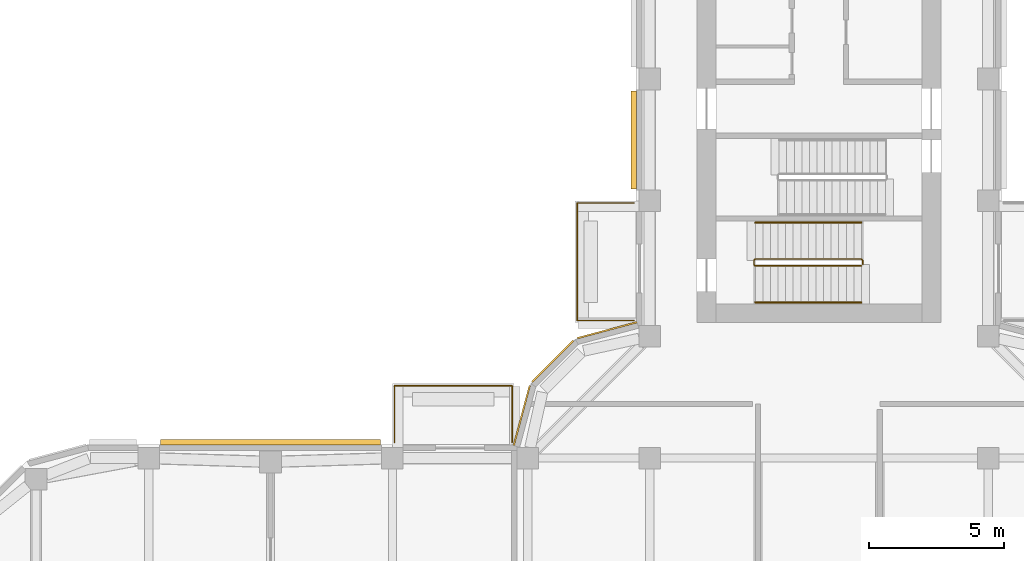
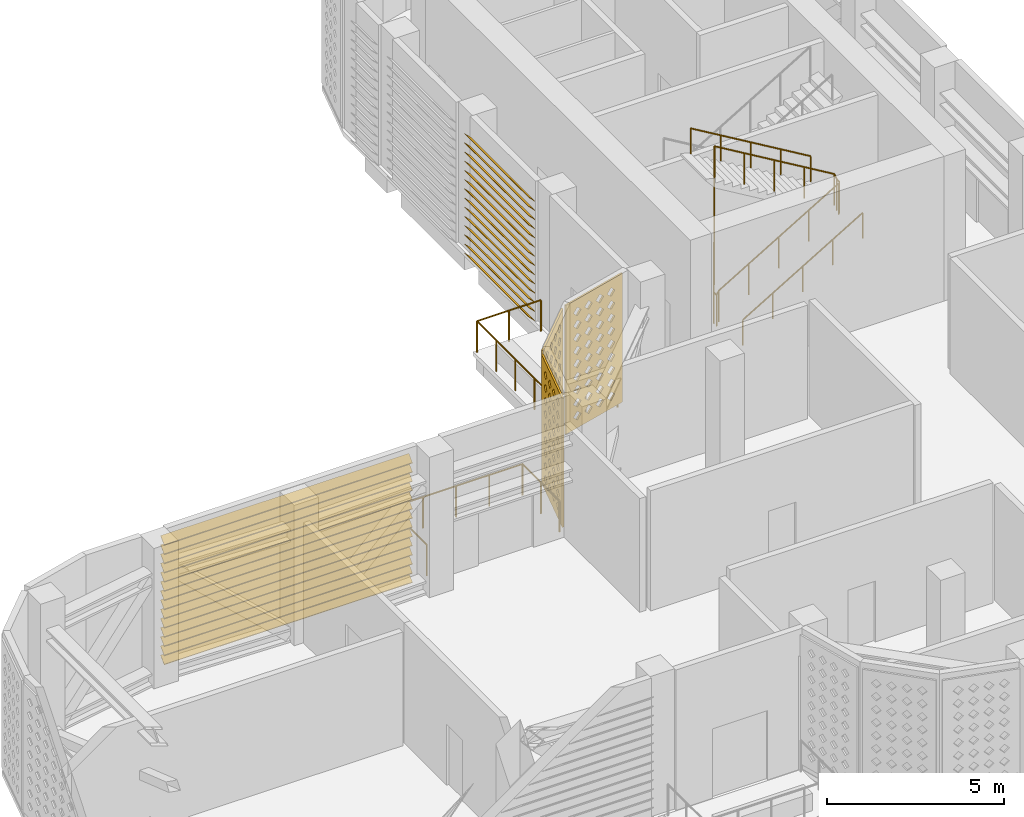
# One storey, part 16 of 21: 5 railings, 3 coverings, 2 shading devices.
"""IFC4 building model written with IfcOpenShell, lengths in metres."""

from ifc_helpers import new_model, si_unit, direction, frame, origin, origin_2d, place, context, subcontext, project, spatial, polyline, circle, outline, extrude, source, transform, mapped, material, layer, layer_set, type_object, element, save


model = new_model("IFC4")

# Units and contexts
model_context = context("Model", 3, precision=1e-05, world=origin(), true_north=direction((0.0, 1.0)))
body_context = subcontext(model_context, "Body", "Model", "MODEL_VIEW")
ifc_project = project(units=[si_unit("LENGTHUNIT", "METRE"), si_unit("AREAUNIT", "SQUARE_METRE"), si_unit("VOLUMEUNIT", "CUBIC_METRE"), si_unit("PLANEANGLEUNIT", "RADIAN"), si_unit("MASSUNIT", "GRAM", prefix="KILO")], contexts=[model_context])

# Site, building, storey
site_placement = place(None, origin())
site = spatial("IfcSite", under=ifc_project, at=site_placement, CompositionType="ELEMENT")
building_placement = place(site_placement, origin())
building = spatial("IfcBuilding", under=site, at=building_placement, Name="Zarbagh Exchange Tower", CompositionType="ELEMENT")
storey_placement = place(building_placement, frame((0.0, 0.0, 190.39990234375)))
storey = spatial("IfcBuildingStorey", under=building, at=storey_placement, Name="L46", CompositionType="ELEMENT", Elevation=190.39990234375)

# Railings
ifc_material_1 = material(Name="Stainless steel", Category="steel")
railing_type_1 = type_object("IfcRailingType", Name="Stair guard 1100 mm", PredefinedType="GUARDRAIL", material=ifc_material_1)
railing_1_placement = place(storey_placement, frame((1.6201171875, 13.39990234375, 2.5)))
element("IfcRailing", 1, at=railing_1_placement, inside=storey, type_object=railing_type_1, Name="ST2 stair guard 1", PredefinedType="GUARDRAIL", context=body_context, shape_type="SweptSolid", body=[
    extrude(circle(Radius=0.02392578125, at=origin_2d()), frame((0.0, 0.0, 1.076171875), z_axis=(0.0, 1.0, 0.0), x_axis=(-1.0, 0.0, 0.0)), (0.0, 0.0, 1.0), 0.150146484375),
    extrude(circle(Radius=0.02392578125, at=origin_2d()), frame((0.0, 0.150146484375, 1.076171875), z_axis=(-0.27628659633, 0.27628659633, 0.920506074601), x_axis=(-0.707106781187, -0.707106781187, 0.0)), (0.0, 0.0, 1.0), 0.18115234375),
    extrude(circle(Radius=0.02392578125, at=origin_2d()), frame((-0.050048828125, 0.2001953125, 1.24267578125), z_axis=(-0.859310244771, 0.0, 0.511454693235), x_axis=(0.0, -1.0, 0.0)), (0.0, 0.0, 1.0), 4.56201171875),
    extrude(circle(Radius=0.02392578125, at=origin_2d()), frame((-3.97021484375, 0.2001953125, 3.576171875), z_axis=(-0.009959944465, -0.010008767722, -0.999900307068), x_axis=(1.0, 0.0, 0.0)), (0.0, 0.0, 1.0), 5.00048828125),
    extrude(circle(Radius=0.02392578125, at=origin_2d()), frame((-4.02001953125, 0.150146484375, -1.423828125), z_axis=(0.0, -1.0, 0.0), x_axis=(1.0, 0.0, 0.0)), (0.0, 0.0, 1.0), 0.150146484375),
    extrude(circle(Radius=0.02392578125, at=origin_2d()), frame((-4.02001953125, 0.0, -1.423828125), z_axis=(0.275143339093, -0.275143339093, 0.92119068922), x_axis=(0.707106781187, 0.707106781187, 0.0)), (0.0, 0.0, 1.0), 0.180908203125),
    extrude(circle(Radius=0.02392578125, at=origin_2d()), frame((-3.97021484375, -0.0498046875, -1.25732421875), z_axis=(0.859310244771, 0.0, 0.511454693235), x_axis=(0.0, 1.0, 0.0)), (0.0, 0.0, 1.0), 4.56201171875),
    extrude(circle(Radius=0.02099609375, at=origin_2d()), origin(), (0.0, 0.0, 1.0), 1.052001953125),
    extrude(circle(Radius=0.02099609375, at=origin_2d()), frame((0.0, 0.150146484375, 0.0)), (0.0, 0.0, 1.0), 1.052001953125),
    extrude(circle(Radius=0.02099609375, at=origin_2d()), frame((-0.050048828125, 0.2001953125, 0.166748046875)), (0.0, 0.0, 1.0), 1.052001953125),
    extrude(circle(Radius=0.02099609375, at=origin_2d()), frame((-1.030029296875, 0.2001953125, 0.75)), (0.0, 0.0, 1.0), 1.052001953125),
    extrude(circle(Radius=0.02099609375, at=origin_2d()), frame((-2.01025390625, 0.2001953125, 1.33349609375)), (0.0, 0.0, 1.0), 1.052001953125),
    extrude(circle(Radius=0.02099609375, at=origin_2d()), frame((-2.990234375, 0.2001953125, 1.916748046875)), (0.0, 0.0, 1.0), 1.052001953125),
    extrude(circle(Radius=0.02099609375, at=origin_2d()), frame((-3.97021484375, 0.2001953125, 2.5)), (0.0, 0.0, 1.0), 1.052001953125),
    extrude(circle(Radius=0.02099609375, at=origin_2d()), frame((-3.980224609375, 0.190185546875, 1.5)), (0.0, 0.0, 1.0), 1.052001953125),
    extrude(circle(Radius=0.02099609375, at=origin_2d()), frame((-3.990234375, 0.18017578125, 0.5)), (0.0, 0.0, 1.0), 1.052001953125),
    extrude(circle(Radius=0.02099609375, at=origin_2d()), frame((-4.0, 0.170166015625, -0.5)), (0.0, 0.0, 1.0), 1.052001953125),
    extrude(circle(Radius=0.02099609375, at=origin_2d()), frame((-4.010009765625, 0.16015625, -1.5)), (0.0, 0.0, 1.0), 1.052001953125),
    extrude(circle(Radius=0.02099609375, at=origin_2d()), frame((-4.02001953125, 0.150146484375, -2.5)), (0.0, 0.0, 1.0), 1.052001953125),
    extrude(circle(Radius=0.02099609375, at=origin_2d()), frame((-4.02001953125, 0.0, -2.5)), (0.0, 0.0, 1.0), 1.052001953125),
    extrude(circle(Radius=0.02099609375, at=origin_2d()), frame((-3.97021484375, -0.0498046875, -2.333251953125)), (0.0, 0.0, 1.0), 1.052001953125),
    extrude(circle(Radius=0.02099609375, at=origin_2d()), frame((-2.990234375, -0.0498046875, -1.75)), (0.0, 0.0, 1.0), 1.052001953125),
    extrude(circle(Radius=0.02099609375, at=origin_2d()), frame((-2.01025390625, -0.0498046875, -1.16650390625)), (0.0, 0.0, 1.0), 1.052001953125),
    extrude(circle(Radius=0.02099609375, at=origin_2d()), frame((-1.030029296875, -0.0498046875, -0.583251953125)), (0.0, 0.0, 1.0), 1.052001953125),
    extrude(circle(Radius=0.02099609375, at=origin_2d()), frame((-0.050048828125, -0.0498046875, 0.0)), (0.0, 0.0, 1.0), 1.052001953125),
])
railing_type_2 = type_object("IfcRailingType", Name="Stair handrail 900 mm", PredefinedType="HANDRAIL", material=ifc_material_1)
railing_2_placement = place(storey_placement, frame((-2.35009765625, 12.0, 0.166748046875)))
element("IfcRailing", 2, at=railing_2_placement, inside=storey, type_object=railing_type_2, Name="ST2 stair handrail 1", PredefinedType="HANDRAIL", context=body_context, shape_type="SweptSolid", body=[
    extrude(circle(Radius=0.02392578125, at=origin_2d()), frame((0.0, 0.0, 0.8759765625), z_axis=(0.859310244771, 0.0, 0.511454693235), x_axis=(0.0, 1.0, 0.0)), (0.0, 0.0, 1.0), 4.56201171875),
    extrude(circle(Radius=0.02099609375, at=origin_2d()), origin(), (0.0, 0.0, 1.0), 0.851806640625),
    extrude(circle(Radius=0.02099609375, at=origin_2d()), frame((0.97998046875, 0.0, 0.583251953125)), (0.0, 0.0, 1.0), 0.851806640625),
    extrude(circle(Radius=0.02099609375, at=origin_2d()), frame((1.9599609375, 0.0, 1.16650390625)), (0.0, 0.0, 1.0), 0.851806640625),
    extrude(circle(Radius=0.02099609375, at=origin_2d()), frame((2.940185546875, 0.0, 1.75)), (0.0, 0.0, 1.0), 0.851806640625),
    extrude(circle(Radius=0.02099609375, at=origin_2d()), frame((3.920166015625, 0.0, 2.333251953125)), (0.0, 0.0, 1.0), 0.851806640625),
])
railing_3_placement = place(storey_placement, frame((1.570068359375, 14.949951171875, 2.666748046875)))
element("IfcRailing", 3, at=railing_3_placement, inside=storey, type_object=railing_type_2, Name="ST2 stair handrail 2", PredefinedType="HANDRAIL", context=body_context, shape_type="SweptSolid", body=[
    extrude(circle(Radius=0.02392578125, at=origin_2d()), frame((0.0, 0.0, 0.8759765625), z_axis=(-0.859310244771, 0.0, 0.511454693235), x_axis=(0.0, -1.0, 0.0)), (0.0, 0.0, 1.0), 4.56201171875),
    extrude(circle(Radius=0.02099609375, at=origin_2d()), origin(), (0.0, 0.0, 1.0), 0.851806640625),
    extrude(circle(Radius=0.02099609375, at=origin_2d()), frame((-0.97998046875, 0.0, 0.583251953125)), (0.0, 0.0, 1.0), 0.851806640625),
    extrude(circle(Radius=0.02099609375, at=origin_2d()), frame((-1.9599609375, 0.0, 1.16650390625)), (0.0, 0.0, 1.0), 0.851806640625),
    extrude(circle(Radius=0.02099609375, at=origin_2d()), frame((-2.940185546875, 0.0, 1.75)), (0.0, 0.0, 1.0), 0.851806640625),
    extrude(circle(Radius=0.02099609375, at=origin_2d()), frame((-3.920166015625, 0.0, 2.333251953125)), (0.0, 0.0, 1.0), 0.851806640625),
])
ifc_material_2 = material(Name="Stainless steel and laminated glass", Category="steel")
railing_type_3 = type_object("IfcRailingType", Name="Terrace guard, glass balustrade 1.1 m", PredefinedType="GUARDRAIL", material=ifc_material_2)
railing_4_placement = place(storey_placement, frame((-6.830078125, 11.330078125, 0.0)))
element("IfcRailing", 4, at=railing_4_placement, inside=storey, type_object=railing_type_3, Name="TG01 terrace guard", PredefinedType="GUARDRAIL", context=body_context, shape_type="SweptSolid", body=[
    extrude(circle(Radius=0.02490234375, at=origin_2d()), frame((0.0, 0.0, 1.0751953125), z_axis=(-1.0, 0.0, 0.0), x_axis=(0.0, -1.0, 0.0)), (0.0, 0.0, 1.0), 2.08984375),
    extrude(circle(Radius=0.02490234375, at=origin_2d()), frame((-2.08984375, 0.0, 1.0751953125), z_axis=(0.0, 1.0, 0.0), x_axis=(-1.0, 0.0, 0.0)), (0.0, 0.0, 1.0), 4.33984375),
    extrude(circle(Radius=0.02490234375, at=origin_2d()), frame((-2.08984375, 4.33984375, 1.0751953125), z_axis=(1.0, 0.0, 0.0), x_axis=(0.0, 1.0, 0.0)), (0.0, 0.0, 1.0), 2.08984375),
    extrude(circle(Radius=0.02490234375, at=origin_2d()), origin(), (0.0, 0.0, 1.0), 1.050048828125),
    extrude(circle(Radius=0.02490234375, at=origin_2d()), frame((-1.044921875, 0.0, 0.0)), (0.0, 0.0, 1.0), 1.050048828125),
    extrude(circle(Radius=0.02490234375, at=origin_2d()), frame((-2.08984375, 0.0, 0.0)), (0.0, 0.0, 1.0), 1.050048828125),
    extrude(circle(Radius=0.02490234375, at=origin_2d()), frame((-2.08984375, 1.0849609375, 0.0)), (0.0, 0.0, 1.0), 1.050048828125),
    extrude(circle(Radius=0.02490234375, at=origin_2d()), frame((-2.08984375, 2.169921875, 0.0)), (0.0, 0.0, 1.0), 1.050048828125),
    extrude(circle(Radius=0.02490234375, at=origin_2d()), frame((-2.08984375, 3.2548828125, 0.0)), (0.0, 0.0, 1.0), 1.050048828125),
    extrude(circle(Radius=0.02490234375, at=origin_2d()), frame((-2.08984375, 4.33984375, 0.0)), (0.0, 0.0, 1.0), 1.050048828125),
    extrude(circle(Radius=0.02490234375, at=origin_2d()), frame((-1.044921875, 4.33984375, 0.0)), (0.0, 0.0, 1.0), 1.050048828125),
    extrude(circle(Radius=0.02490234375, at=origin_2d()), frame((0.0, 4.33984375, 0.0)), (0.0, 0.0, 1.0), 1.050048828125),
])
railing_5_placement = place(storey_placement, frame((-15.669921875, 6.830078125, 0.0)))
element("IfcRailing", 5, at=railing_5_placement, inside=storey, type_object=railing_type_3, Name="TG01 terrace guard", PredefinedType="GUARDRAIL", context=body_context, shape_type="SweptSolid", body=[
    extrude(circle(Radius=0.02490234375, at=origin_2d()), frame((0.0, 0.0, 1.0751953125), z_axis=(0.0, 1.0, 0.0), x_axis=(-1.0, 0.0, 0.0)), (0.0, 0.0, 1.0), 2.08984375),
    extrude(circle(Radius=0.02490234375, at=origin_2d()), frame((0.0, 2.08984375, 1.0751953125), z_axis=(1.0, 0.0, 0.0), x_axis=(0.0, 1.0, 0.0)), (0.0, 0.0, 1.0), 4.33984375),
    extrude(circle(Radius=0.02490234375, at=origin_2d()), frame((4.33984375, 2.08984375, 1.0751953125), z_axis=(0.0, -1.0, 0.0), x_axis=(1.0, 0.0, 0.0)), (0.0, 0.0, 1.0), 2.08984375),
    extrude(circle(Radius=0.02490234375, at=origin_2d()), origin(), (0.0, 0.0, 1.0), 1.050048828125),
    extrude(circle(Radius=0.02490234375, at=origin_2d()), frame((0.0, 1.044921875, 0.0)), (0.0, 0.0, 1.0), 1.050048828125),
    extrude(circle(Radius=0.02490234375, at=origin_2d()), frame((0.0, 2.08984375, 0.0)), (0.0, 0.0, 1.0), 1.050048828125),
    extrude(circle(Radius=0.02490234375, at=origin_2d()), frame((1.0849609375, 2.08984375, 0.0)), (0.0, 0.0, 1.0), 1.050048828125),
    extrude(circle(Radius=0.02490234375, at=origin_2d()), frame((2.169921875, 2.08984375, 0.0)), (0.0, 0.0, 1.0), 1.050048828125),
    extrude(circle(Radius=0.02490234375, at=origin_2d()), frame((3.2548828125, 2.08984375, 0.0)), (0.0, 0.0, 1.0), 1.050048828125),
    extrude(circle(Radius=0.02490234375, at=origin_2d()), frame((4.33984375, 2.08984375, 0.0)), (0.0, 0.0, 1.0), 1.050048828125),
    extrude(circle(Radius=0.02490234375, at=origin_2d()), frame((4.33984375, 1.044921875, 0.0)), (0.0, 0.0, 1.0), 1.050048828125),
    extrude(circle(Radius=0.02490234375, at=origin_2d()), frame((4.33984375, 0.0, 0.0)), (0.0, 0.0, 1.0), 1.050048828125),
])

# Covering
ifc_material_3 = material(Name="Glass-fibre reinforced concrete GFRC C50/60", Category="concrete")
ifc_layer = layer(ifc_material_3, 0.06005859375)
ifc_layer_set = layer_set([ifc_layer], Name="SCREEN jali panel, GFRC")
covering_type = type_object("IfcCoveringType", Name="SCREEN jali panel, GFRC", PredefinedType="CLADDING", material=ifc_layer_set)
shared_shape_1 = source(origin(), body_context, "Body", "SweptSolid", [
    extrude(outline(polyline([(0.0, 0.0), (2.1650390625, 0.0), (2.1650390625, 4.449951171875), (0.0, 4.449951171875), (0.0, 0.0)]), holes=[polyline([(0.257568359375, 0.425048828125), (0.407470703125, 0.27490234375), (0.5576171875, 0.425048828125), (0.407470703125, 0.574951171875), (0.257568359375, 0.425048828125)]), polyline([(0.257568359375, 0.875), (0.407470703125, 0.72509765625), (0.5576171875, 0.875), (0.407470703125, 1.02490234375), (0.257568359375, 0.875)]), polyline([(0.257568359375, 1.324951171875), (0.407470703125, 1.175048828125), (0.5576171875, 1.324951171875), (0.407470703125, 1.47509765625), (0.257568359375, 1.324951171875)]), polyline([(0.257568359375, 1.77490234375), (0.407470703125, 1.625), (0.5576171875, 1.77490234375), (0.407470703125, 1.925048828125), (0.257568359375, 1.77490234375)]), polyline([(0.257568359375, 2.22509765625), (0.407470703125, 2.074951171875), (0.5576171875, 2.22509765625), (0.407470703125, 2.375), (0.257568359375, 2.22509765625)]), polyline([(0.257568359375, 2.675048828125), (0.407470703125, 2.52490234375), (0.5576171875, 2.675048828125), (0.407470703125, 2.824951171875), (0.257568359375, 2.675048828125)]), polyline([(0.257568359375, 3.125), (0.407470703125, 2.97509765625), (0.5576171875, 3.125), (0.407470703125, 3.27490234375), (0.257568359375, 3.125)]), polyline([(0.257568359375, 3.574951171875), (0.407470703125, 3.425048828125), (0.5576171875, 3.574951171875), (0.407470703125, 3.72509765625), (0.257568359375, 3.574951171875)]), polyline([(0.257568359375, 4.02490234375), (0.407470703125, 3.875), (0.5576171875, 4.02490234375), (0.407470703125, 4.175048828125), (0.257568359375, 4.02490234375)]), polyline([(0.70751953125, 0.425048828125), (0.857421875, 0.27490234375), (1.007568359375, 0.425048828125), (0.857421875, 0.574951171875), (0.70751953125, 0.425048828125)]), polyline([(0.70751953125, 0.875), (0.857421875, 0.72509765625), (1.007568359375, 0.875), (0.857421875, 1.02490234375), (0.70751953125, 0.875)]), polyline([(0.70751953125, 1.324951171875), (0.857421875, 1.175048828125), (1.007568359375, 1.324951171875), (0.857421875, 1.47509765625), (0.70751953125, 1.324951171875)]), polyline([(0.70751953125, 1.77490234375), (0.857421875, 1.625), (1.007568359375, 1.77490234375), (0.857421875, 1.925048828125), (0.70751953125, 1.77490234375)]), polyline([(0.70751953125, 2.22509765625), (0.857421875, 2.074951171875), (1.007568359375, 2.22509765625), (0.857421875, 2.375), (0.70751953125, 2.22509765625)]), polyline([(0.70751953125, 2.675048828125), (0.857421875, 2.52490234375), (1.007568359375, 2.675048828125), (0.857421875, 2.824951171875), (0.70751953125, 2.675048828125)]), polyline([(0.70751953125, 3.125), (0.857421875, 2.97509765625), (1.007568359375, 3.125), (0.857421875, 3.27490234375), (0.70751953125, 3.125)]), polyline([(0.70751953125, 3.574951171875), (0.857421875, 3.425048828125), (1.007568359375, 3.574951171875), (0.857421875, 3.72509765625), (0.70751953125, 3.574951171875)]), polyline([(0.70751953125, 4.02490234375), (0.857421875, 3.875), (1.007568359375, 4.02490234375), (0.857421875, 4.175048828125), (0.70751953125, 4.02490234375)]), polyline([(1.157470703125, 0.425048828125), (1.3076171875, 0.27490234375), (1.45751953125, 0.425048828125), (1.3076171875, 0.574951171875), (1.157470703125, 0.425048828125)]), polyline([(1.157470703125, 0.875), (1.3076171875, 0.72509765625), (1.45751953125, 0.875), (1.3076171875, 1.02490234375), (1.157470703125, 0.875)]), polyline([(1.157470703125, 1.324951171875), (1.3076171875, 1.175048828125), (1.45751953125, 1.324951171875), (1.3076171875, 1.47509765625), (1.157470703125, 1.324951171875)]), polyline([(1.157470703125, 1.77490234375), (1.3076171875, 1.625), (1.45751953125, 1.77490234375), (1.3076171875, 1.925048828125), (1.157470703125, 1.77490234375)]), polyline([(1.157470703125, 2.22509765625), (1.3076171875, 2.074951171875), (1.45751953125, 2.22509765625), (1.3076171875, 2.375), (1.157470703125, 2.22509765625)]), polyline([(1.157470703125, 2.675048828125), (1.3076171875, 2.52490234375), (1.45751953125, 2.675048828125), (1.3076171875, 2.824951171875), (1.157470703125, 2.675048828125)]), polyline([(1.157470703125, 3.125), (1.3076171875, 2.97509765625), (1.45751953125, 3.125), (1.3076171875, 3.27490234375), (1.157470703125, 3.125)]), polyline([(1.157470703125, 3.574951171875), (1.3076171875, 3.425048828125), (1.45751953125, 3.574951171875), (1.3076171875, 3.72509765625), (1.157470703125, 3.574951171875)]), polyline([(1.157470703125, 4.02490234375), (1.3076171875, 3.875), (1.45751953125, 4.02490234375), (1.3076171875, 4.175048828125), (1.157470703125, 4.02490234375)]), polyline([(1.607421875, 0.425048828125), (1.757568359375, 0.27490234375), (1.907470703125, 0.425048828125), (1.757568359375, 0.574951171875), (1.607421875, 0.425048828125)]), polyline([(1.607421875, 0.875), (1.757568359375, 0.72509765625), (1.907470703125, 0.875), (1.757568359375, 1.02490234375), (1.607421875, 0.875)]), polyline([(1.607421875, 1.324951171875), (1.757568359375, 1.175048828125), (1.907470703125, 1.324951171875), (1.757568359375, 1.47509765625), (1.607421875, 1.324951171875)]), polyline([(1.607421875, 1.77490234375), (1.757568359375, 1.625), (1.907470703125, 1.77490234375), (1.757568359375, 1.925048828125), (1.607421875, 1.77490234375)]), polyline([(1.607421875, 2.22509765625), (1.757568359375, 2.074951171875), (1.907470703125, 2.22509765625), (1.757568359375, 2.375), (1.607421875, 2.22509765625)]), polyline([(1.607421875, 2.675048828125), (1.757568359375, 2.52490234375), (1.907470703125, 2.675048828125), (1.757568359375, 2.824951171875), (1.607421875, 2.675048828125)]), polyline([(1.607421875, 3.125), (1.757568359375, 2.97509765625), (1.907470703125, 3.125), (1.757568359375, 3.27490234375), (1.607421875, 3.125)]), polyline([(1.607421875, 3.574951171875), (1.757568359375, 3.425048828125), (1.907470703125, 3.574951171875), (1.757568359375, 3.72509765625), (1.607421875, 3.574951171875)]), polyline([(1.607421875, 4.02490234375), (1.757568359375, 3.875), (1.907470703125, 4.02490234375), (1.757568359375, 4.175048828125), (1.607421875, 4.02490234375)])]), origin(), (0.0, 0.0, 1.0), 0.06005859375),
])
placement = place(storey_placement, origin())
element("IfcCovering", 6, at=placement, inside=storey, type_object=covering_type, Name="JS25 jali screen", PredefinedType="CLADDING", context=body_context, shape_type="MappedRepresentation", body=[
    mapped(shared_shape_1, transform((-9.0439453125, 10.574951171875, 0.2001953125), x_axis=(-0.707106781187, -0.707106781187, 0.0), y_axis=(0.0, 0.0, 1.0), z_axis=(-0.707106781187, 0.707106781187, 0.0))),
])

# Shading device
ifc_material_4 = material(Name="Anodised aluminium", Category="aluminium")
shading_device_type = type_object("IfcShadingDeviceType", Name="LOUVRE plant louvre, fixed blades", PredefinedType="USERDEFINED", material=ifc_material_4)
shared_shape_2 = source(origin(), body_context, "Body", "SweptSolid", [
    extrude(outline(polyline([(0.0, 0.199951171875), (0.199951171875, 0.0), (0.199951171875, -0.02001953125), (0.0, 0.179931640625), (0.0, 0.199951171875)])), origin(), (0.0, 0.0, 1.0), 3.6201171875),
])
element("IfcShadingDevice", 7, at=placement, inside=storey, type_object=shading_device_type, Name="LV12 plant louvre", ObjectType="LOUVRE", PredefinedType="USERDEFINED", context=body_context, shape_type="MappedRepresentation", body=[
    mapped(shared_shape_2, transform((-6.72998046875, 19.81005859375, 0.2001953125), x_axis=(-1.0, 0.0, 0.0), y_axis=(0.0, 0.0, -1.0), z_axis=(0.0, -1.0, 0.0))),
    mapped(shared_shape_2, transform((-6.72998046875, 19.81005859375, 0.51806640625), x_axis=(-1.0, 0.0, 0.0), y_axis=(0.0, 0.0, -1.0), z_axis=(0.0, -1.0, 0.0))),
    mapped(shared_shape_2, transform((-6.72998046875, 19.81005859375, 0.835693359375), x_axis=(-1.0, 0.0, 0.0), y_axis=(0.0, 0.0, -1.0), z_axis=(0.0, -1.0, 0.0))),
    mapped(shared_shape_2, transform((-6.72998046875, 19.81005859375, 1.153564453125), x_axis=(-1.0, 0.0, 0.0), y_axis=(0.0, 0.0, -1.0), z_axis=(0.0, -1.0, 0.0))),
    mapped(shared_shape_2, transform((-6.72998046875, 19.81005859375, 1.471435546875), x_axis=(-1.0, 0.0, 0.0), y_axis=(0.0, 0.0, -1.0), z_axis=(0.0, -1.0, 0.0))),
    mapped(shared_shape_2, transform((-6.72998046875, 19.81005859375, 1.789306640625), x_axis=(-1.0, 0.0, 0.0), y_axis=(0.0, 0.0, -1.0), z_axis=(0.0, -1.0, 0.0))),
    mapped(shared_shape_2, transform((-6.72998046875, 19.81005859375, 2.107177734375), x_axis=(-1.0, 0.0, 0.0), y_axis=(0.0, 0.0, -1.0), z_axis=(0.0, -1.0, 0.0))),
    mapped(shared_shape_2, transform((-6.72998046875, 19.81005859375, 2.425048828125), x_axis=(-1.0, 0.0, 0.0), y_axis=(0.0, 0.0, -1.0), z_axis=(0.0, -1.0, 0.0))),
    mapped(shared_shape_2, transform((-6.72998046875, 19.81005859375, 2.742919921875), x_axis=(-1.0, 0.0, 0.0), y_axis=(0.0, 0.0, -1.0), z_axis=(0.0, -1.0, 0.0))),
    mapped(shared_shape_2, transform((-6.72998046875, 19.81005859375, 3.060791015625), x_axis=(-1.0, 0.0, 0.0), y_axis=(0.0, 0.0, -1.0), z_axis=(0.0, -1.0, 0.0))),
    mapped(shared_shape_2, transform((-6.72998046875, 19.81005859375, 3.378662109375), x_axis=(-1.0, 0.0, 0.0), y_axis=(0.0, 0.0, -1.0), z_axis=(0.0, -1.0, 0.0))),
    mapped(shared_shape_2, transform((-6.72998046875, 19.81005859375, 3.696533203125), x_axis=(-1.0, 0.0, 0.0), y_axis=(0.0, 0.0, -1.0), z_axis=(0.0, -1.0, 0.0))),
    mapped(shared_shape_2, transform((-6.72998046875, 19.81005859375, 4.014404296875), x_axis=(-1.0, 0.0, 0.0), y_axis=(0.0, 0.0, -1.0), z_axis=(0.0, -1.0, 0.0))),
    mapped(shared_shape_2, transform((-6.72998046875, 19.81005859375, 4.332275390625), x_axis=(-1.0, 0.0, 0.0), y_axis=(0.0, 0.0, -1.0), z_axis=(0.0, -1.0, 0.0))),
])

# Coverings
shared_shape_3 = source(origin(), body_context, "Body", "SweptSolid", [
    extrude(outline(polyline([(0.0, 0.0), (2.277099609375, 0.0), (2.277099609375, 4.449951171875), (0.0, 4.449951171875), (0.0, 0.0)]), holes=[polyline([(0.313720703125, 0.425048828125), (0.463623046875, 0.27490234375), (0.613525390625, 0.425048828125), (0.463623046875, 0.574951171875), (0.313720703125, 0.425048828125)]), polyline([(0.313720703125, 0.875), (0.463623046875, 0.72509765625), (0.613525390625, 0.875), (0.463623046875, 1.02490234375), (0.313720703125, 0.875)]), polyline([(0.313720703125, 1.324951171875), (0.463623046875, 1.175048828125), (0.613525390625, 1.324951171875), (0.463623046875, 1.47509765625), (0.313720703125, 1.324951171875)]), polyline([(0.313720703125, 1.77490234375), (0.463623046875, 1.625), (0.613525390625, 1.77490234375), (0.463623046875, 1.925048828125), (0.313720703125, 1.77490234375)]), polyline([(0.313720703125, 2.22509765625), (0.463623046875, 2.074951171875), (0.613525390625, 2.22509765625), (0.463623046875, 2.375), (0.313720703125, 2.22509765625)]), polyline([(0.313720703125, 2.675048828125), (0.463623046875, 2.52490234375), (0.613525390625, 2.675048828125), (0.463623046875, 2.824951171875), (0.313720703125, 2.675048828125)]), polyline([(0.313720703125, 3.125), (0.463623046875, 2.97509765625), (0.613525390625, 3.125), (0.463623046875, 3.27490234375), (0.313720703125, 3.125)]), polyline([(0.313720703125, 3.574951171875), (0.463623046875, 3.425048828125), (0.613525390625, 3.574951171875), (0.463623046875, 3.72509765625), (0.313720703125, 3.574951171875)]), polyline([(0.313720703125, 4.02490234375), (0.463623046875, 3.875), (0.613525390625, 4.02490234375), (0.463623046875, 4.175048828125), (0.313720703125, 4.02490234375)]), polyline([(0.763671875, 0.425048828125), (0.91357421875, 0.27490234375), (1.063720703125, 0.425048828125), (0.91357421875, 0.574951171875), (0.763671875, 0.425048828125)]), polyline([(0.763671875, 0.875), (0.91357421875, 0.72509765625), (1.063720703125, 0.875), (0.91357421875, 1.02490234375), (0.763671875, 0.875)]), polyline([(0.763671875, 1.324951171875), (0.91357421875, 1.175048828125), (1.063720703125, 1.324951171875), (0.91357421875, 1.47509765625), (0.763671875, 1.324951171875)]), polyline([(0.763671875, 1.77490234375), (0.91357421875, 1.625), (1.063720703125, 1.77490234375), (0.91357421875, 1.925048828125), (0.763671875, 1.77490234375)]), polyline([(0.763671875, 2.22509765625), (0.91357421875, 2.074951171875), (1.063720703125, 2.22509765625), (0.91357421875, 2.375), (0.763671875, 2.22509765625)]), polyline([(0.763671875, 2.675048828125), (0.91357421875, 2.52490234375), (1.063720703125, 2.675048828125), (0.91357421875, 2.824951171875), (0.763671875, 2.675048828125)]), polyline([(0.763671875, 3.125), (0.91357421875, 2.97509765625), (1.063720703125, 3.125), (0.91357421875, 3.27490234375), (0.763671875, 3.125)]), polyline([(0.763671875, 3.574951171875), (0.91357421875, 3.425048828125), (1.063720703125, 3.574951171875), (0.91357421875, 3.72509765625), (0.763671875, 3.574951171875)]), polyline([(0.763671875, 4.02490234375), (0.91357421875, 3.875), (1.063720703125, 4.02490234375), (0.91357421875, 4.175048828125), (0.763671875, 4.02490234375)]), polyline([(1.213623046875, 0.425048828125), (1.363525390625, 0.27490234375), (1.513671875, 0.425048828125), (1.363525390625, 0.574951171875), (1.213623046875, 0.425048828125)]), polyline([(1.213623046875, 0.875), (1.363525390625, 0.72509765625), (1.513671875, 0.875), (1.363525390625, 1.02490234375), (1.213623046875, 0.875)]), polyline([(1.213623046875, 1.324951171875), (1.363525390625, 1.175048828125), (1.513671875, 1.324951171875), (1.363525390625, 1.47509765625), (1.213623046875, 1.324951171875)]), polyline([(1.213623046875, 1.77490234375), (1.363525390625, 1.625), (1.513671875, 1.77490234375), (1.363525390625, 1.925048828125), (1.213623046875, 1.77490234375)]), polyline([(1.213623046875, 2.22509765625), (1.363525390625, 2.074951171875), (1.513671875, 2.22509765625), (1.363525390625, 2.375), (1.213623046875, 2.22509765625)]), polyline([(1.213623046875, 2.675048828125), (1.363525390625, 2.52490234375), (1.513671875, 2.675048828125), (1.363525390625, 2.824951171875), (1.213623046875, 2.675048828125)]), polyline([(1.213623046875, 3.125), (1.363525390625, 2.97509765625), (1.513671875, 3.125), (1.363525390625, 3.27490234375), (1.213623046875, 3.125)]), polyline([(1.213623046875, 3.574951171875), (1.363525390625, 3.425048828125), (1.513671875, 3.574951171875), (1.363525390625, 3.72509765625), (1.213623046875, 3.574951171875)]), polyline([(1.213623046875, 4.02490234375), (1.363525390625, 3.875), (1.513671875, 4.02490234375), (1.363525390625, 4.175048828125), (1.213623046875, 4.02490234375)]), polyline([(1.66357421875, 0.425048828125), (1.813720703125, 0.27490234375), (1.963623046875, 0.425048828125), (1.813720703125, 0.574951171875), (1.66357421875, 0.425048828125)]), polyline([(1.66357421875, 0.875), (1.813720703125, 0.72509765625), (1.963623046875, 0.875), (1.813720703125, 1.02490234375), (1.66357421875, 0.875)]), polyline([(1.66357421875, 1.324951171875), (1.813720703125, 1.175048828125), (1.963623046875, 1.324951171875), (1.813720703125, 1.47509765625), (1.66357421875, 1.324951171875)]), polyline([(1.66357421875, 1.77490234375), (1.813720703125, 1.625), (1.963623046875, 1.77490234375), (1.813720703125, 1.925048828125), (1.66357421875, 1.77490234375)]), polyline([(1.66357421875, 2.22509765625), (1.813720703125, 2.074951171875), (1.963623046875, 2.22509765625), (1.813720703125, 2.375), (1.66357421875, 2.22509765625)]), polyline([(1.66357421875, 2.675048828125), (1.813720703125, 2.52490234375), (1.963623046875, 2.675048828125), (1.813720703125, 2.824951171875), (1.66357421875, 2.675048828125)]), polyline([(1.66357421875, 3.125), (1.813720703125, 2.97509765625), (1.963623046875, 3.125), (1.813720703125, 3.27490234375), (1.66357421875, 3.125)]), polyline([(1.66357421875, 3.574951171875), (1.813720703125, 3.425048828125), (1.963623046875, 3.574951171875), (1.813720703125, 3.72509765625), (1.66357421875, 3.574951171875)]), polyline([(1.66357421875, 4.02490234375), (1.813720703125, 3.875), (1.963623046875, 4.02490234375), (1.813720703125, 4.175048828125), (1.66357421875, 4.02490234375)])]), origin(), (0.0, 0.0, 1.0), 0.06005859375),
])
element("IfcCovering", 8, at=placement, inside=storey, type_object=covering_type, Name="JS24 jali screen", PredefinedType="CLADDING", context=body_context, shape_type="MappedRepresentation", body=[
    mapped(shared_shape_3, transform((-6.7158203125, 11.238525390625, 0.2001953125), x_axis=(-0.965924215207, -0.258825057666, 0.0), y_axis=(0.0, 0.0, 1.0), z_axis=(-0.258825057666, 0.965924215207, 0.0))),
])
element("IfcCovering", 9, at=placement, inside=storey, type_object=covering_type, Name="JS26 jali screen", PredefinedType="CLADDING", context=body_context, shape_type="MappedRepresentation", body=[
    mapped(shared_shape_3, transform((-10.64892578125, 8.91552734375, 0.2001953125), x_axis=(-0.258825057666, -0.965924215207, 0.0), y_axis=(0.0, 0.0, 1.0), z_axis=(-0.965924215207, 0.258825057666, 0.0))),
])

# Shading device
shared_shape_4 = source(origin(), body_context, "Body", "SweptSolid", [
    extrude(outline(polyline([(0.0, 0.199951171875), (0.199951171875, 0.0), (0.199951171875, -0.02001953125), (0.0, 0.179931640625), (0.0, 0.199951171875)])), origin(), (0.0, 0.0, 1.0), 8.1201171875),
])
element("IfcShadingDevice", 10, at=placement, inside=storey, type_object=shading_device_type, Name="LV14 plant louvre", ObjectType="LOUVRE", PredefinedType="USERDEFINED", context=body_context, shape_type="MappedRepresentation", body=[
    mapped(shared_shape_4, transform((-16.18994140625, 6.72998046875, 0.2001953125), x_axis=(0.0, 1.0, 0.0), y_axis=(0.0, 0.0, -1.0), z_axis=(-1.0, 0.0, 0.0))),
    mapped(shared_shape_4, transform((-16.18994140625, 6.72998046875, 0.51806640625), x_axis=(0.0, 1.0, 0.0), y_axis=(0.0, 0.0, -1.0), z_axis=(-1.0, 0.0, 0.0))),
    mapped(shared_shape_4, transform((-16.18994140625, 6.72998046875, 0.835693359375), x_axis=(0.0, 1.0, 0.0), y_axis=(0.0, 0.0, -1.0), z_axis=(-1.0, 0.0, 0.0))),
    mapped(shared_shape_4, transform((-16.18994140625, 6.72998046875, 1.153564453125), x_axis=(0.0, 1.0, 0.0), y_axis=(0.0, 0.0, -1.0), z_axis=(-1.0, 0.0, 0.0))),
    mapped(shared_shape_4, transform((-16.18994140625, 6.72998046875, 1.471435546875), x_axis=(0.0, 1.0, 0.0), y_axis=(0.0, 0.0, -1.0), z_axis=(-1.0, 0.0, 0.0))),
    mapped(shared_shape_4, transform((-16.18994140625, 6.72998046875, 1.789306640625), x_axis=(0.0, 1.0, 0.0), y_axis=(0.0, 0.0, -1.0), z_axis=(-1.0, 0.0, 0.0))),
    mapped(shared_shape_4, transform((-16.18994140625, 6.72998046875, 2.107177734375), x_axis=(0.0, 1.0, 0.0), y_axis=(0.0, 0.0, -1.0), z_axis=(-1.0, 0.0, 0.0))),
    mapped(shared_shape_4, transform((-16.18994140625, 6.72998046875, 2.425048828125), x_axis=(0.0, 1.0, 0.0), y_axis=(0.0, 0.0, -1.0), z_axis=(-1.0, 0.0, 0.0))),
    mapped(shared_shape_4, transform((-16.18994140625, 6.72998046875, 2.742919921875), x_axis=(0.0, 1.0, 0.0), y_axis=(0.0, 0.0, -1.0), z_axis=(-1.0, 0.0, 0.0))),
    mapped(shared_shape_4, transform((-16.18994140625, 6.72998046875, 3.060791015625), x_axis=(0.0, 1.0, 0.0), y_axis=(0.0, 0.0, -1.0), z_axis=(-1.0, 0.0, 0.0))),
    mapped(shared_shape_4, transform((-16.18994140625, 6.72998046875, 3.378662109375), x_axis=(0.0, 1.0, 0.0), y_axis=(0.0, 0.0, -1.0), z_axis=(-1.0, 0.0, 0.0))),
    mapped(shared_shape_4, transform((-16.18994140625, 6.72998046875, 3.696533203125), x_axis=(0.0, 1.0, 0.0), y_axis=(0.0, 0.0, -1.0), z_axis=(-1.0, 0.0, 0.0))),
    mapped(shared_shape_4, transform((-16.18994140625, 6.72998046875, 4.014404296875), x_axis=(0.0, 1.0, 0.0), y_axis=(0.0, 0.0, -1.0), z_axis=(-1.0, 0.0, 0.0))),
    mapped(shared_shape_4, transform((-16.18994140625, 6.72998046875, 4.332275390625), x_axis=(0.0, 1.0, 0.0), y_axis=(0.0, 0.0, -1.0), z_axis=(-1.0, 0.0, 0.0))),
])

save(model, "model.ifc")
